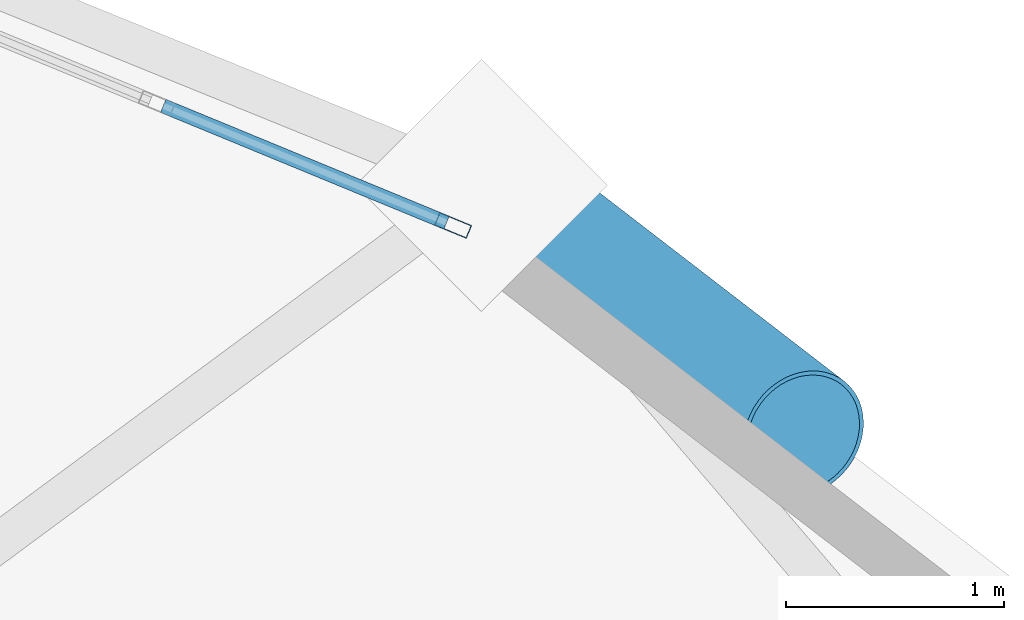
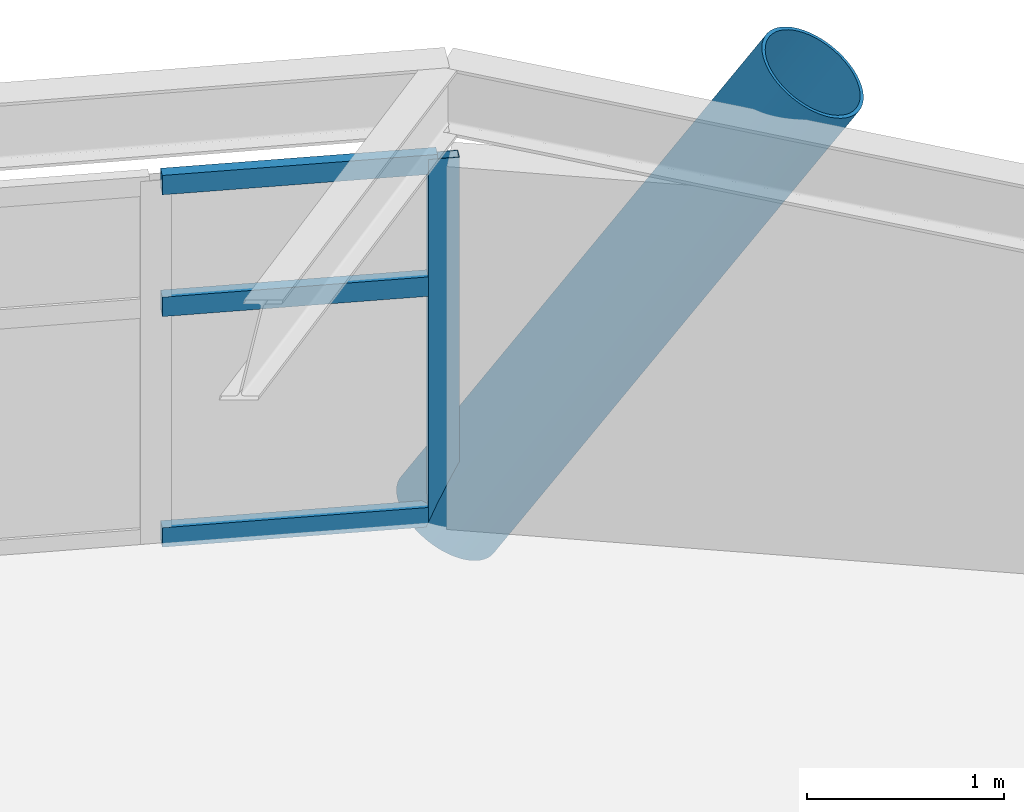
# One storey, part 8 of 19: 5 members, 1 element without a shape of its own.
"""IFC4 building model written with IfcOpenShell, lengths in metres."""

from ifc_helpers import new_model, si_unit, direction, frame, origin, origin_2d, place, context, subcontext, project, spatial, hollow_rectangle, hollow_circle, extrude, material, layer, layer_set, material_profile, profile_set, type_object, element, aggregate, save


model = new_model("IFC4")

# Units and contexts
model_context = context("Model", 3, precision=1e-05, world=origin(), true_north=direction((0.0, 1.0)))
body_context = subcontext(model_context, "Body", "Model", "MODEL_VIEW")
ifc_project = project(units=[si_unit("LENGTHUNIT", "METRE"), si_unit("AREAUNIT", "SQUARE_METRE"), si_unit("VOLUMEUNIT", "CUBIC_METRE"), si_unit("PLANEANGLEUNIT", "RADIAN"), si_unit("MASSUNIT", "GRAM", prefix="KILO")], contexts=[model_context])

# Site, building, storey
site_placement = place(None, origin())
site = spatial("IfcSite", under=ifc_project, at=site_placement, CompositionType="ELEMENT")
building_placement = place(site_placement, origin())
building = spatial("IfcBuilding", under=site, at=building_placement, Name="Cununo Teusaquillo Station Towers", CompositionType="ELEMENT")
storey_placement = place(building_placement, frame((0.0, 0.0, 160.330078125)))
storey = spatial("IfcBuildingStorey", under=building, at=storey_placement, Name="L50", CompositionType="ELEMENT", Elevation=160.330078125)

# Curtain wall, members
ifc_material_1 = material(Name="Operable acoustic tinted low-E double glazing", Category="glass")
ifc_layer = layer(ifc_material_1, 0.179931640625)
ifc_layer_set = layer_set([ifc_layer], Name="Operable acoustic tinted low-E double glazing")
curtain_wall_type = type_object("IfcCurtainWallType", Name="CW-SYS-06", PredefinedType="USERDEFINED", material=ifc_layer_set)
curtain_wall_placement = place(storey_placement, origin())
curtain_wall = element("IfcCurtainWall", 1, at=curtain_wall_placement, inside=storey, type_object=curtain_wall_type, Name="L50 Tower B Facade Curtain Wall C01", ObjectType="OPERABLE GLAZING", PredefinedType="USERDEFINED")
ifc_material_2 = material(Name="Anodised dark bronze aluminium EN AW-6063-T6", Category="aluminium")
ifc_material_profile_1 = material_profile(ifc_material_2, hollow_rectangle(XDim=0.06494140625, YDim=0.159912109375, WallThickness=0.00390625, at=origin_2d()), Name="CW-MULL-65x160")
ifc_profile_set_1 = profile_set([ifc_material_profile_1], Name="Anodised dark bronze aluminium EN AW-6063-T6")
member_type_1 = type_object("IfcMemberType", Name="CWM-160", PredefinedType="MULLION", material=ifc_profile_set_1)
member_1_placement = place(storey_placement, frame((63.348388671875, 38.156494140625, 0.0), z_axis=(0.0, 0.0, 1.0), x_axis=(0.381121790423, 0.924524840588, 0.0)))
member_1 = element("IfcMember", 2, at=member_1_placement, type_object=member_type_1, Name="CW-06 mullion 4", PredefinedType="MULLION", context=body_context, shape_type="SweptSolid", body=[
    extrude(hollow_rectangle(XDim=0.06494140625, YDim=0.159912109375, WallThickness=0.00390625, at=origin_2d()), origin(), (0.0, 0.0, 1.0), 2.244873046875),
])
ifc_material_3 = material(Name="Anodised dark bronze aluminium EN AW-6063-T6", Category="aluminium")
ifc_material_profile_2 = material_profile(ifc_material_3, hollow_rectangle(XDim=0.06494140625, YDim=0.1201171875, WallThickness=0.00390625, at=origin_2d()), Name="CW-TRAN-65x120")
ifc_profile_set_2 = profile_set([ifc_material_profile_2], Name="Anodised dark bronze aluminium EN AW-6063-T6")
member_type_2 = type_object("IfcMemberType", Name="CWT-120", PredefinedType="USERDEFINED", material=ifc_profile_set_2)
member_2_placement = place(storey_placement, frame((62.016845703125, 38.70556640625, 0.032470703125), z_axis=(0.924502014319, -0.381177157658, 0.0), x_axis=(0.381177157658, 0.924502014319, 0.0)))
member_2 = element("IfcMember", 3, at=member_2_placement, type_object=member_type_2, Name="CW-06 transom 3.1", ObjectType="TRANSOM", PredefinedType="USERDEFINED", context=body_context, shape_type="SweptSolid", body=[
    extrude(hollow_rectangle(XDim=0.06494140625, YDim=0.1201171875, WallThickness=0.00390625, at=origin_2d()), origin(), (0.0, 0.0, 1.0), 1.40771484375),
])
member_3_placement = place(storey_placement, frame((62.016845703125, 38.70556640625, 1.458984375), z_axis=(0.924502014319, -0.381177157658, 0.0), x_axis=(0.381177157658, 0.924502014319, 0.0)))
member_3 = element("IfcMember", 4, at=member_3_placement, type_object=member_type_2, Name="CW-06 transom 3.2", ObjectType="TRANSOM", PredefinedType="USERDEFINED", context=body_context, shape_type="SweptSolid", body=[
    extrude(hollow_rectangle(XDim=0.06494140625, YDim=0.1201171875, WallThickness=0.00390625, at=origin_2d()), origin(), (0.0, 0.0, 1.0), 1.40771484375),
])
member_4_placement = place(storey_placement, frame((62.016845703125, 38.70556640625, 2.21240234375), z_axis=(0.924502014319, -0.381177157658, 0.0), x_axis=(0.381177157658, 0.924502014319, 0.0)))
member_4 = element("IfcMember", 5, at=member_4_placement, type_object=member_type_2, Name="CW-06 transom 3.3", ObjectType="TRANSOM", PredefinedType="USERDEFINED", context=body_context, shape_type="SweptSolid", body=[
    extrude(hollow_rectangle(XDim=0.06494140625, YDim=0.1201171875, WallThickness=0.00390625, at=origin_2d()), origin(), (0.0, 0.0, 1.0), 1.40771484375),
])
aggregate(curtain_wall, [member_1, member_2, member_3, member_4])

# Member
ifc_material_4 = material(Name="Steel EN 10025-2 S355J2", Category="steel")
ifc_material_profile_3 = material_profile(ifc_material_4, hollow_circle(Radius=0.304931640625, WallThickness=0.02001953125, at=origin_2d()), Name="CHS 610x20")
ifc_profile_set_3 = profile_set([ifc_material_profile_3], Name="Steel EN 10025-2 S355J2")
member_type_3 = type_object("IfcMemberType", Name="MBR-DIAG-Z3", PredefinedType="BRACE", material=ifc_profile_set_3)
member_5_placement = place(storey_placement, frame((63.478271484375, 38.340087890625, -0.14013671875), z_axis=(0.428018247089, -0.329679236996, 0.841493898286), x_axis=(0.610215818747, 0.79223522678, 0.0)))
element("IfcMember", 6, at=member_5_placement, inside=storey, type_object=member_type_3, Name="L50 Tower B Folded-Zigzag Diagrid Tube C00", PredefinedType="BRACE", context=body_context, shape_type="SweptSolid", body=[
    extrude(hollow_circle(Radius=0.304931640625, WallThickness=0.02001953125, at=origin_2d()), origin(), (0.0, 0.0, 1.0), 3.458251953125),
])

save(model, "model.ifc")
